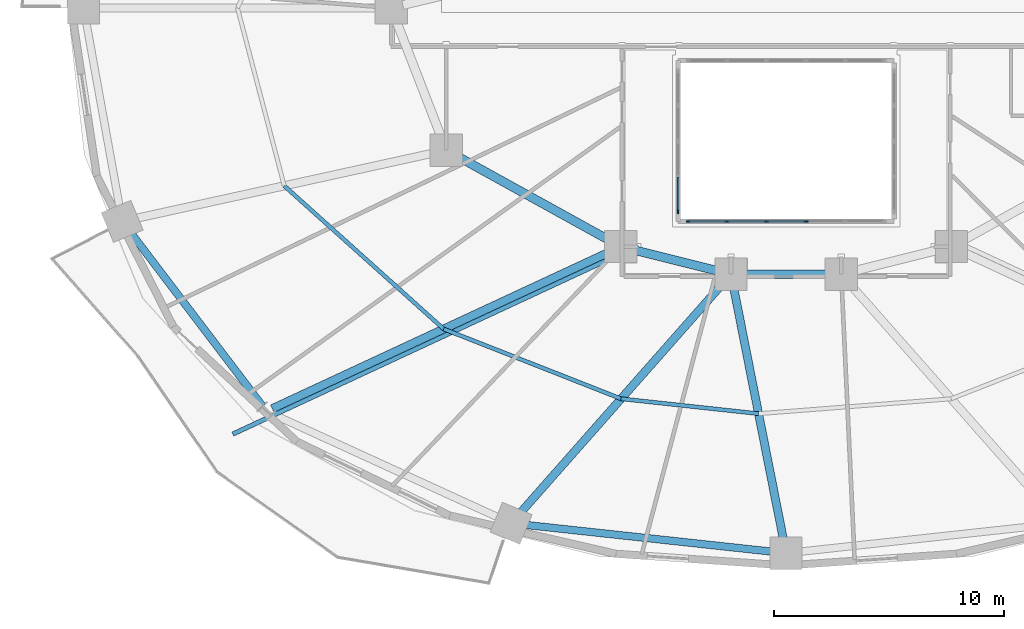
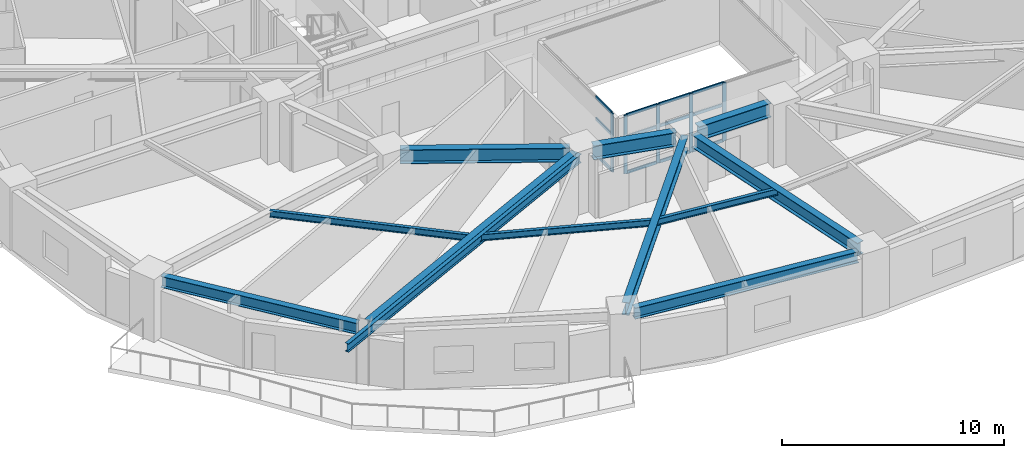
# One storey, part 3 of 17: 17 members, 12 beams, 2 elements without a shape of their own.
"""IFC4 building model written with IfcOpenShell, lengths in metres."""

from ifc_helpers import new_model, si_unit, direction, frame, origin, origin_2d, place, context, subcontext, project, spatial, rectangle, i_section, extrude, material, material_profile, profile_set, type_object, element, aggregate, save


model = new_model("IFC4")

# Units and contexts
model_context = context("Model", 3, precision=1e-05, world=origin(), true_north=direction((0.0, 1.0)))
body_context = subcontext(model_context, "Body", "Model", "MODEL_VIEW")
ifc_project = project(units=[si_unit("LENGTHUNIT", "METRE"), si_unit("AREAUNIT", "SQUARE_METRE"), si_unit("VOLUMEUNIT", "CUBIC_METRE"), si_unit("PLANEANGLEUNIT", "RADIAN"), si_unit("MASSUNIT", "GRAM", prefix="KILO")], contexts=[model_context])

# Site, building, storey
site_placement = place(None, origin())
site = spatial("IfcSite", under=ifc_project, at=site_placement, CompositionType="ELEMENT")
building_placement = place(site_placement, origin())
building = spatial("IfcBuilding", under=site, at=building_placement, Name="Haldorwick Loom Tower", CompositionType="ELEMENT")
storey_placement = place(building_placement, frame((0.0, 0.0, 30.89990234375)))
storey = spatial("IfcBuildingStorey", under=building, at=storey_placement, Name="L07", CompositionType="ELEMENT", Elevation=30.89990234375)

# Curtain wall, members
ifc_material_1 = material(Name="Thermally Broken Anodized Aluminium Curtain Wall Framing", Category="aluminium")
curtain_wall_type = type_object("IfcCurtainWallType", Name="ARC-CW-03", PredefinedType="NOTDEFINED", material=ifc_material_1)
curtain_wall_1_placement = place(storey_placement, origin())
curtain_wall_1 = element("IfcCurtainWall", 1, at=curtain_wall_1_placement, inside=storey, type_object=curtain_wall_type, Name="L07 Atrium Glazed Screen S", PredefinedType="NOTDEFINED")
ifc_material_profile_1 = material_profile(ifc_material_1, rectangle(XDim=0.06591796875, YDim=0.18505859375, at=origin_2d()), Name="ALU_MUL_66X185", Category="aluminium")
ifc_profile_set_1 = profile_set([ifc_material_profile_1], Name="Thermally Broken Anodized Aluminium Curtain Wall Framing")
member_type_1 = type_object("IfcMemberType", Name="ARC-CWM-03", PredefinedType="MULLION", material=ifc_profile_set_1)
member_1_placement = place(storey_placement, frame((36.860107421875, 16.699951171875, 0.0), z_axis=(0.0, 0.0, 1.0), x_axis=(0.0, -1.0, 0.0)))
member_1 = element("IfcMember", 2, at=member_1_placement, type_object=member_type_1, Name="CW-03 mullion 3", PredefinedType="MULLION", context=body_context, shape_type="SweptSolid", body=[
    extrude(rectangle(XDim=0.06591796875, YDim=0.18505859375, at=origin_2d()), origin(), (0.0, 0.0, 1.0), 3.210205078125),
])
member_2_placement = place(storey_placement, frame((35.139892578125, 16.699951171875, 0.0), z_axis=(0.0, 0.0, 1.0), x_axis=(0.0, -1.0, 0.0)))
member_2 = element("IfcMember", 3, at=member_2_placement, type_object=member_type_1, Name="CW-03 mullion 4", PredefinedType="MULLION", context=body_context, shape_type="SweptSolid", body=[
    extrude(rectangle(XDim=0.06591796875, YDim=0.18505859375, at=origin_2d()), origin(), (0.0, 0.0, 1.0), 3.210205078125),
])
member_3_placement = place(storey_placement, frame((33.419921875, 16.699951171875, 0.0), z_axis=(0.0, 0.0, 1.0), x_axis=(0.0, -1.0, 0.0)))
member_3 = element("IfcMember", 4, at=member_3_placement, type_object=member_type_1, Name="CW-03 mullion 5", PredefinedType="MULLION", context=body_context, shape_type="SweptSolid", body=[
    extrude(rectangle(XDim=0.06591796875, YDim=0.18505859375, at=origin_2d()), origin(), (0.0, 0.0, 1.0), 3.210205078125),
])
member_4_placement = place(storey_placement, frame((31.73291015625, 16.699951171875, 0.0), z_axis=(0.0, 0.0, 1.0), x_axis=(0.0, -1.0, 0.0)))
member_4 = element("IfcMember", 5, at=member_4_placement, type_object=member_type_1, Name="CW-03 mullion 6", PredefinedType="MULLION", context=body_context, shape_type="SweptSolid", body=[
    extrude(rectangle(XDim=0.06591796875, YDim=0.18505859375, at=origin_2d()), origin(), (0.0, 0.0, 1.0), 3.210205078125),
])

# Curtain wall, member
curtain_wall_2_placement = place(storey_placement, origin())
curtain_wall_2 = element("IfcCurtainWall", 6, at=curtain_wall_2_placement, inside=storey, type_object=curtain_wall_type, Name="L07 Atrium Glazed Screen W", PredefinedType="NOTDEFINED")
member_5_placement = place(storey_placement, frame((31.300048828125, 17.133056640625, 0.0), z_axis=(0.0, 0.0, 1.0), x_axis=(-1.0, 0.0, 0.0)))
member_5 = element("IfcMember", 7, at=member_5_placement, type_object=member_type_1, Name="CW-03 mullion 1", PredefinedType="MULLION", context=body_context, shape_type="SweptSolid", body=[
    extrude(rectangle(XDim=0.06591796875, YDim=0.18505859375, at=origin_2d()), origin(), (0.0, 0.0, 1.0), 3.210205078125),
])

# Member
ifc_material_profile_2 = material_profile(ifc_material_1, rectangle(XDim=0.06591796875, YDim=0.1650390625, at=origin_2d()), Name="ALU_TRN_66X165", Category="aluminium")
ifc_profile_set_2 = profile_set([ifc_material_profile_2], Name="Thermally Broken Anodized Aluminium Curtain Wall Framing")
member_type_2 = type_object("IfcMemberType", Name="ARC-CWT-03", PredefinedType="USERDEFINED", material=ifc_profile_set_2)
member_6_placement = place(storey_placement, frame((36.826904296875, 16.699951171875, 0.033203125), z_axis=(-1.0, 0.0, 0.0), x_axis=(0.0, -1.0, 0.0)))
member_6 = element("IfcMember", 8, at=member_6_placement, type_object=member_type_2, Name="CW-03 transom 3.1", ObjectType="TRANSOM", PredefinedType="USERDEFINED", context=body_context, shape_type="SweptSolid", body=[
    extrude(rectangle(XDim=0.06591796875, YDim=0.1650390625, at=origin_2d()), origin(), (0.0, 0.0, 1.0), 1.65380859375),
])

member_7_placement = place(storey_placement, frame((36.826904296875, 16.699951171875, 2.0), z_axis=(-1.0, 0.0, 0.0), x_axis=(0.0, -1.0, 0.0)))
member_7 = element("IfcMember", 9, at=member_7_placement, type_object=member_type_2, Name="CW-03 transom 3.2", ObjectType="TRANSOM", PredefinedType="USERDEFINED", context=body_context, shape_type="SweptSolid", body=[
    extrude(rectangle(XDim=0.06591796875, YDim=0.1650390625, at=origin_2d()), origin(), (0.0, 0.0, 1.0), 1.65380859375),
])

member_8_placement = place(storey_placement, frame((36.826904296875, 16.699951171875, 3.177001953125), z_axis=(-1.0, 0.0, 0.0), x_axis=(0.0, -1.0, 0.0)))
member_8 = element("IfcMember", 10, at=member_8_placement, type_object=member_type_2, Name="CW-03 transom 3.3", ObjectType="TRANSOM", PredefinedType="USERDEFINED", context=body_context, shape_type="SweptSolid", body=[
    extrude(rectangle(XDim=0.06591796875, YDim=0.1650390625, at=origin_2d()), origin(), (0.0, 0.0, 1.0), 1.65380859375),
])

member_9_placement = place(storey_placement, frame((35.10693359375, 16.699951171875, 0.033203125), z_axis=(-1.0, 0.0, 0.0), x_axis=(0.0, -1.0, 0.0)))
member_9 = element("IfcMember", 11, at=member_9_placement, type_object=member_type_2, Name="CW-03 transom 4.1", ObjectType="TRANSOM", PredefinedType="USERDEFINED", context=body_context, shape_type="SweptSolid", body=[
    extrude(rectangle(XDim=0.06591796875, YDim=0.1650390625, at=origin_2d()), origin(), (0.0, 0.0, 1.0), 1.654052734375),
])

member_10_placement = place(storey_placement, frame((35.10693359375, 16.699951171875, 2.0), z_axis=(-1.0, 0.0, 0.0), x_axis=(0.0, -1.0, 0.0)))
member_10 = element("IfcMember", 12, at=member_10_placement, type_object=member_type_2, Name="CW-03 transom 4.2", ObjectType="TRANSOM", PredefinedType="USERDEFINED", context=body_context, shape_type="SweptSolid", body=[
    extrude(rectangle(XDim=0.06591796875, YDim=0.1650390625, at=origin_2d()), origin(), (0.0, 0.0, 1.0), 1.654052734375),
])

member_11_placement = place(storey_placement, frame((35.10693359375, 16.699951171875, 3.177001953125), z_axis=(-1.0, 0.0, 0.0), x_axis=(0.0, -1.0, 0.0)))
member_11 = element("IfcMember", 13, at=member_11_placement, type_object=member_type_2, Name="CW-03 transom 4.3", ObjectType="TRANSOM", PredefinedType="USERDEFINED", context=body_context, shape_type="SweptSolid", body=[
    extrude(rectangle(XDim=0.06591796875, YDim=0.1650390625, at=origin_2d()), origin(), (0.0, 0.0, 1.0), 1.654052734375),
])

member_12_placement = place(storey_placement, frame((33.386962890625, 16.699951171875, 0.033203125), z_axis=(-1.0, 0.0, 0.0), x_axis=(0.0, -1.0, 0.0)))
member_12 = element("IfcMember", 14, at=member_12_placement, type_object=member_type_2, Name="CW-03 transom 5.1", ObjectType="TRANSOM", PredefinedType="USERDEFINED", context=body_context, shape_type="SweptSolid", body=[
    extrude(rectangle(XDim=0.06591796875, YDim=0.1650390625, at=origin_2d()), origin(), (0.0, 0.0, 1.0), 1.620849609375),
])

member_13_placement = place(storey_placement, frame((33.386962890625, 16.699951171875, 2.0), z_axis=(-1.0, 0.0, 0.0), x_axis=(0.0, -1.0, 0.0)))
member_13 = element("IfcMember", 15, at=member_13_placement, type_object=member_type_2, Name="CW-03 transom 5.2", ObjectType="TRANSOM", PredefinedType="USERDEFINED", context=body_context, shape_type="SweptSolid", body=[
    extrude(rectangle(XDim=0.06591796875, YDim=0.1650390625, at=origin_2d()), origin(), (0.0, 0.0, 1.0), 1.620849609375),
])

member_14_placement = place(storey_placement, frame((33.386962890625, 16.699951171875, 3.177001953125), z_axis=(-1.0, 0.0, 0.0), x_axis=(0.0, -1.0, 0.0)))
member_14 = element("IfcMember", 16, at=member_14_placement, type_object=member_type_2, Name="CW-03 transom 5.3", ObjectType="TRANSOM", PredefinedType="USERDEFINED", context=body_context, shape_type="SweptSolid", body=[
    extrude(rectangle(XDim=0.06591796875, YDim=0.1650390625, at=origin_2d()), origin(), (0.0, 0.0, 1.0), 1.620849609375),
])

aggregate(curtain_wall_1, [member_1, member_2, member_3, member_4, member_6, member_7, member_8, member_9, member_10, member_11, member_12, member_13, member_14])

member_15_placement = place(storey_placement, frame((31.300048828125, 17.166015625, 0.033203125), z_axis=(0.0, 1.0, 0.0), x_axis=(-1.0, 0.0, 0.0)))
member_15 = element("IfcMember", 17, at=member_15_placement, type_object=member_type_2, Name="CW-03 transom 1.1", ObjectType="TRANSOM", PredefinedType="USERDEFINED", context=body_context, shape_type="SweptSolid", body=[
    extrude(rectangle(XDim=0.06591796875, YDim=0.1650390625, at=origin_2d()), origin(), (0.0, 0.0, 1.0), 1.450927734375),
])

member_16_placement = place(storey_placement, frame((31.300048828125, 17.166015625, 2.0), z_axis=(0.0, 1.0, 0.0), x_axis=(-1.0, 0.0, 0.0)))
member_16 = element("IfcMember", 18, at=member_16_placement, type_object=member_type_2, Name="CW-03 transom 1.2", ObjectType="TRANSOM", PredefinedType="USERDEFINED", context=body_context, shape_type="SweptSolid", body=[
    extrude(rectangle(XDim=0.06591796875, YDim=0.1650390625, at=origin_2d()), origin(), (0.0, 0.0, 1.0), 1.450927734375),
])

member_17_placement = place(storey_placement, frame((31.300048828125, 17.166015625, 3.177001953125), z_axis=(0.0, 1.0, 0.0), x_axis=(-1.0, 0.0, 0.0)))
member_17 = element("IfcMember", 19, at=member_17_placement, type_object=member_type_2, Name="CW-03 transom 1.3", ObjectType="TRANSOM", PredefinedType="USERDEFINED", context=body_context, shape_type="SweptSolid", body=[
    extrude(rectangle(XDim=0.06591796875, YDim=0.1650390625, at=origin_2d()), origin(), (0.0, 0.0, 1.0), 1.450927734375),
])

aggregate(curtain_wall_2, [member_5, member_15, member_16, member_17])

# Beams
ifc_material_2 = material(Name="Steel CSA G40.21 350W", Category="steel")
ifc_material_profile_3 = material_profile(ifc_material_2, i_section(OverallWidth=0.193115234375, OverallDepth=0.466064453125, WebThickness=0.011474609375, FlangeThickness=0.01904296875, at=origin_2d()), Name="W460X97", Category="steel")
ifc_profile_set_3 = profile_set([ifc_material_profile_3], Name="Steel CSA G40.21 350W")
beam_type_1 = type_object("IfcBeamType", Name="STR-BM-BAL460", PredefinedType="BEAM", material=ifc_profile_set_3)
beam_1_placement = place(storey_placement, frame((28.446533203125, 15.126953125, 2.97705078125), z_axis=(-0.906840784049, -0.421473359047, 0.0), x_axis=(0.421473359047, -0.906840784049, 0.0)))
element("IfcBeam", 20, at=beam_1_placement, inside=storey, type_object=beam_type_1, Name="L07 Continuous Back-Spanned Balcony Beam 2", PredefinedType="BEAM", context=body_context, shape_type="SweptSolid", body=[
    extrude(i_section(OverallWidth=0.193115234375, OverallDepth=0.466064453125, WebThickness=0.011474609375, FlangeThickness=0.01904296875, at=origin_2d()), origin(), (0.0, 0.0, 1.0), 18.245361328125),
])
ifc_material_profile_4 = material_profile(ifc_material_2, i_section(OverallWidth=0.172119140625, OverallDepth=0.35791015625, WebThickness=0.0078125, FlangeThickness=0.01318359375, at=origin_2d()), Name="W360X57", Category="steel")
ifc_profile_set_4 = profile_set([ifc_material_profile_4], Name="Steel CSA G40.21 350W")
beam_type_2 = type_object("IfcBeamType", Name="STR-BM-J360", PredefinedType="JOIST", material=ifc_profile_set_4)
beam_2_placement = place(storey_placement, frame((14.141357421875, 18.25048828125, 3.031005859375), z_axis=(0.743981830112, -0.668199847698, 0.0), x_axis=(0.668199847698, 0.743981830112, 0.0)))
element("IfcBeam", 21, at=beam_2_placement, inside=storey, type_object=beam_type_2, Name="L07 Mid-Bay Secondary Joist 10", PredefinedType="JOIST", context=body_context, shape_type="SweptSolid", body=[
    extrude(i_section(OverallWidth=0.172119140625, OverallDepth=0.35791015625, WebThickness=0.0078125, FlangeThickness=0.01318359375, at=origin_2d()), origin(), (0.0, 0.0, 1.0), 9.3330078125),
])
beam_3_placement = place(storey_placement, frame((21.0849609375, 12.01416015625, 3.031005859375), z_axis=(0.930584838237, -0.366076301941, 0.0), x_axis=(0.366076301941, 0.930584838237, 0.0)))
element("IfcBeam", 22, at=beam_3_placement, inside=storey, type_object=beam_type_2, Name="L07 Mid-Bay Secondary Joist 11", PredefinedType="JOIST", context=body_context, shape_type="SweptSolid", body=[
    extrude(i_section(OverallWidth=0.172119140625, OverallDepth=0.35791015625, WebThickness=0.0078125, FlangeThickness=0.01318359375, at=origin_2d()), origin(), (0.0, 0.0, 1.0), 8.302490234375),
])
beam_4_placement = place(storey_placement, frame((28.81103515625, 8.974853515625, 3.031005859375), z_axis=(0.994163660215, -0.107882420753, 0.0), x_axis=(0.107882420753, 0.994163660215, 0.0)))
element("IfcBeam", 23, at=beam_4_placement, inside=storey, type_object=beam_type_2, Name="L07 Mid-Bay Secondary Joist 12", PredefinedType="JOIST", context=body_context, shape_type="SweptSolid", body=[
    extrude(i_section(OverallWidth=0.172119140625, OverallDepth=0.35791015625, WebThickness=0.0078125, FlangeThickness=0.01318359375, at=origin_2d()), origin(), (0.0, 0.0, 1.0), 6.024169921875),
])
ifc_material_profile_5 = material_profile(ifc_material_2, i_section(OverallWidth=0.324951171875, OverallDepth=0.615966796875, WebThickness=0.013916015625, FlangeThickness=0.021484375, at=origin_2d()), Name="W610X174", Category="steel")
ifc_profile_set_5 = profile_set([ifc_material_profile_5], Name="Steel CSA G40.21 350W")
beam_type_3 = type_object("IfcBeamType", Name="STR-BM-SP610", PredefinedType="SPANDREL", material=ifc_profile_set_5)
beam_5_placement = place(storey_placement, frame((7.397216796875, 16.286865234375, 2.902099609375), z_axis=(0.605084557744, -0.796161213562, 0.0), x_axis=(0.796161213562, 0.605084557744, 0.0)))
element("IfcBeam", 24, at=beam_5_placement, inside=storey, type_object=beam_type_3, Name="L07 Perimeter Spandrel 10", PredefinedType="SPANDREL", context=body_context, shape_type="SweptSolid", body=[
    extrude(i_section(OverallWidth=0.324951171875, OverallDepth=0.615966796875, WebThickness=0.013916015625, FlangeThickness=0.021484375, at=origin_2d()), origin(), (0.0, 0.0, 1.0), 9.595703125),
])
beam_6_placement = place(storey_placement, frame((24.5390625, 3.49365234375, 2.902099609375), z_axis=(0.994164438636, -0.107875247167, 0.0), x_axis=(0.107875247167, 0.994164438636, 0.0)))
element("IfcBeam", 25, at=beam_6_placement, inside=storey, type_object=beam_type_3, Name="L07 Perimeter Spandrel 12", PredefinedType="SPANDREL", context=body_context, shape_type="SweptSolid", body=[
    extrude(i_section(OverallWidth=0.324951171875, OverallDepth=0.615966796875, WebThickness=0.013916015625, FlangeThickness=0.021484375, at=origin_2d()), origin(), (0.0, 0.0, 1.0), 11.008056640625),
])
ifc_material_profile_6 = material_profile(ifc_material_2, i_section(OverallWidth=0.35498046875, OverallDepth=0.695068359375, WebThickness=0.015380859375, FlangeThickness=0.02490234375, at=origin_2d()), Name="W690X217", Category="steel")
ifc_profile_set_6 = profile_set([ifc_material_profile_6], Name="Steel CSA G40.21 350W")
beam_type_4 = type_object("IfcBeamType", Name="STR-BM-W690", PredefinedType="BEAM", material=ifc_profile_set_6)
beam_7_placement = place(storey_placement, frame((28.328369140625, 15.380859375, 2.862548828125), z_axis=(-0.90683498532, -0.421485835349, 0.0), x_axis=(0.421485835349, -0.90683498532, 0.0)))
element("IfcBeam", 26, at=beam_7_placement, inside=storey, type_object=beam_type_4, Name="L07 Radial Floor Girder 11", PredefinedType="BEAM", context=body_context, shape_type="SweptSolid", body=[
    extrude(i_section(OverallWidth=0.35498046875, OverallDepth=0.695068359375, WebThickness=0.015380859375, FlangeThickness=0.02490234375, at=origin_2d()), origin(), (0.0, 0.0, 1.0), 16.220458984375),
])
beam_8_placement = place(storey_placement, frame((33.255859375, 14.01025390625, 2.862548828125), z_axis=(-0.661774304332, -0.749703121326, 0.0), x_axis=(0.749703121326, -0.661774304332, 0.0)))
element("IfcBeam", 27, at=beam_8_placement, inside=storey, type_object=beam_type_4, Name="L07 Radial Floor Girder 12", PredefinedType="BEAM", context=body_context, shape_type="SweptSolid", body=[
    extrude(i_section(OverallWidth=0.35498046875, OverallDepth=0.695068359375, WebThickness=0.015380859375, FlangeThickness=0.02490234375, at=origin_2d()), origin(), (0.0, 0.0, 1.0), 13.43310546875),
])
beam_9_placement = place(storey_placement, frame((33.70068359375, 13.889892578125, 2.862548828125), z_axis=(0.193785651115, -0.981043893729, 0.0), x_axis=(0.981043893729, 0.193785651115, 0.0)))
element("IfcBeam", 28, at=beam_9_placement, inside=storey, type_object=beam_type_4, Name="L07 Radial Floor Girder 13", PredefinedType="BEAM", context=body_context, shape_type="SweptSolid", body=[
    extrude(i_section(OverallWidth=0.35498046875, OverallDepth=0.695068359375, WebThickness=0.015380859375, FlangeThickness=0.02490234375, at=origin_2d()), origin(), (0.0, 0.0, 1.0), 11.344970703125),
])
ifc_material_profile_7 = material_profile(ifc_material_2, i_section(OverallWidth=0.381103515625, OverallDepth=0.77294921875, WebThickness=0.0166015625, FlangeThickness=0.027587890625, at=origin_2d()), Name="W760X257", Category="steel")
ifc_profile_set_7 = profile_set([ifc_material_profile_7], Name="Steel CSA G40.21 350W")
beam_type_5 = type_object("IfcBeamType", Name="STR-BM-W760", PredefinedType="BEAM", material=ifc_profile_set_7)
beam_10_placement = place(storey_placement, frame((37.8798828125, 14.39990234375, 2.823486328125), z_axis=(-1.0, 0.0, 0.0), x_axis=(0.0, -1.0, 0.0)))
element("IfcBeam", 29, at=beam_10_placement, inside=storey, type_object=beam_type_5, Name="L07 Inner Ring Girder 5", PredefinedType="BEAM", context=body_context, shape_type="SweptSolid", body=[
    extrude(i_section(OverallWidth=0.381103515625, OverallDepth=0.77294921875, WebThickness=0.0166015625, FlangeThickness=0.027587890625, at=origin_2d()), origin(), (0.0, 0.0, 1.0), 3.759765625),
])
beam_11_placement = place(storey_placement, frame((33.095458984375, 14.526123046875, 2.823486328125), z_axis=(-0.970142500145, 0.242535625036, 0.0), x_axis=(-0.242535625036, -0.970142500145, 0.0)))
element("IfcBeam", 30, at=beam_11_placement, inside=storey, type_object=beam_type_5, Name="L07 Inner Ring Girder 6", PredefinedType="BEAM", context=body_context, shape_type="SweptSolid", body=[
    extrude(i_section(OverallWidth=0.381103515625, OverallDepth=0.77294921875, WebThickness=0.0166015625, FlangeThickness=0.027587890625, at=origin_2d()), origin(), (0.0, 0.0, 1.0), 3.90771484375),
])
beam_12_placement = place(storey_placement, frame((28.344970703125, 15.8515625, 2.823486328125), z_axis=(-0.875244382146, 0.483680960471, 0.0), x_axis=(-0.483680960471, -0.875244382146, 0.0)))
element("IfcBeam", 31, at=beam_12_placement, inside=storey, type_object=beam_type_5, Name="L07 Inner Ring Girder 7", PredefinedType="BEAM", context=body_context, shape_type="SweptSolid", body=[
    extrude(i_section(OverallWidth=0.381103515625, OverallDepth=0.77294921875, WebThickness=0.0166015625, FlangeThickness=0.027587890625, at=origin_2d()), origin(), (0.0, 0.0, 1.0), 7.6435546875),
])

save(model, "model.ifc")
